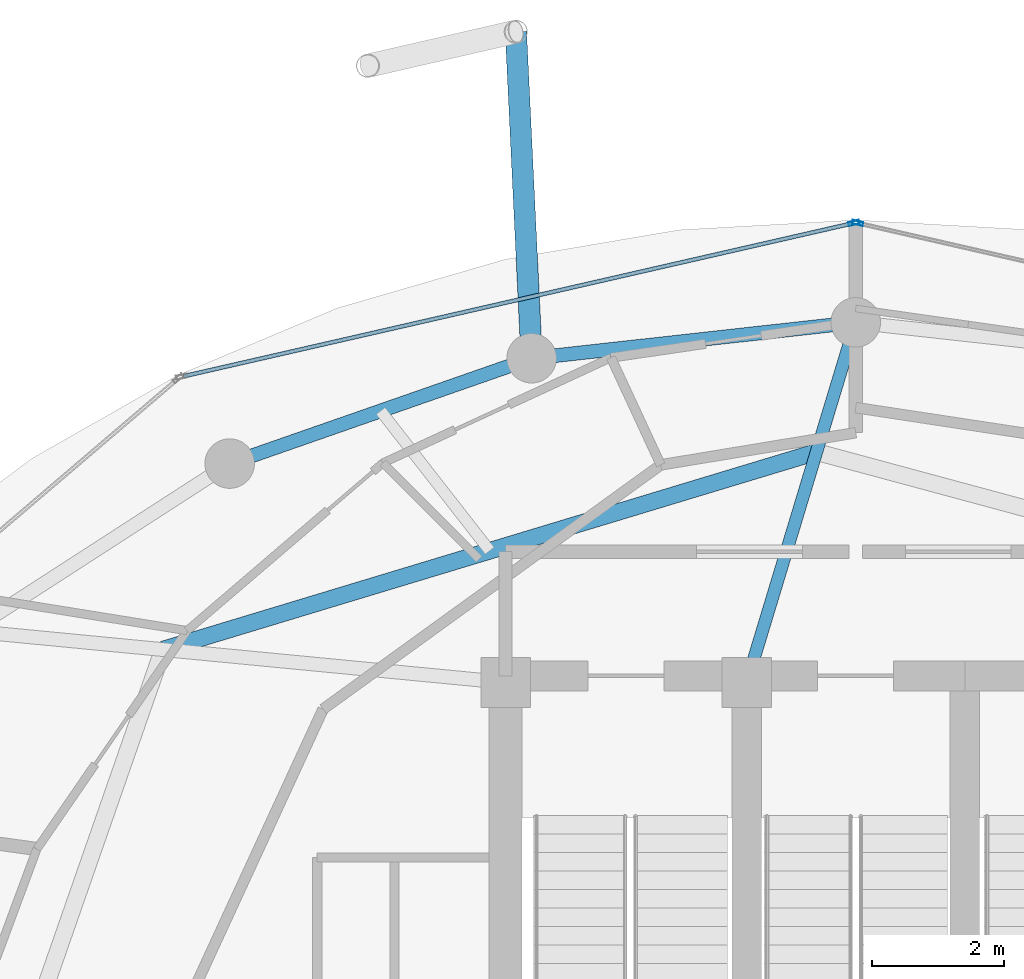
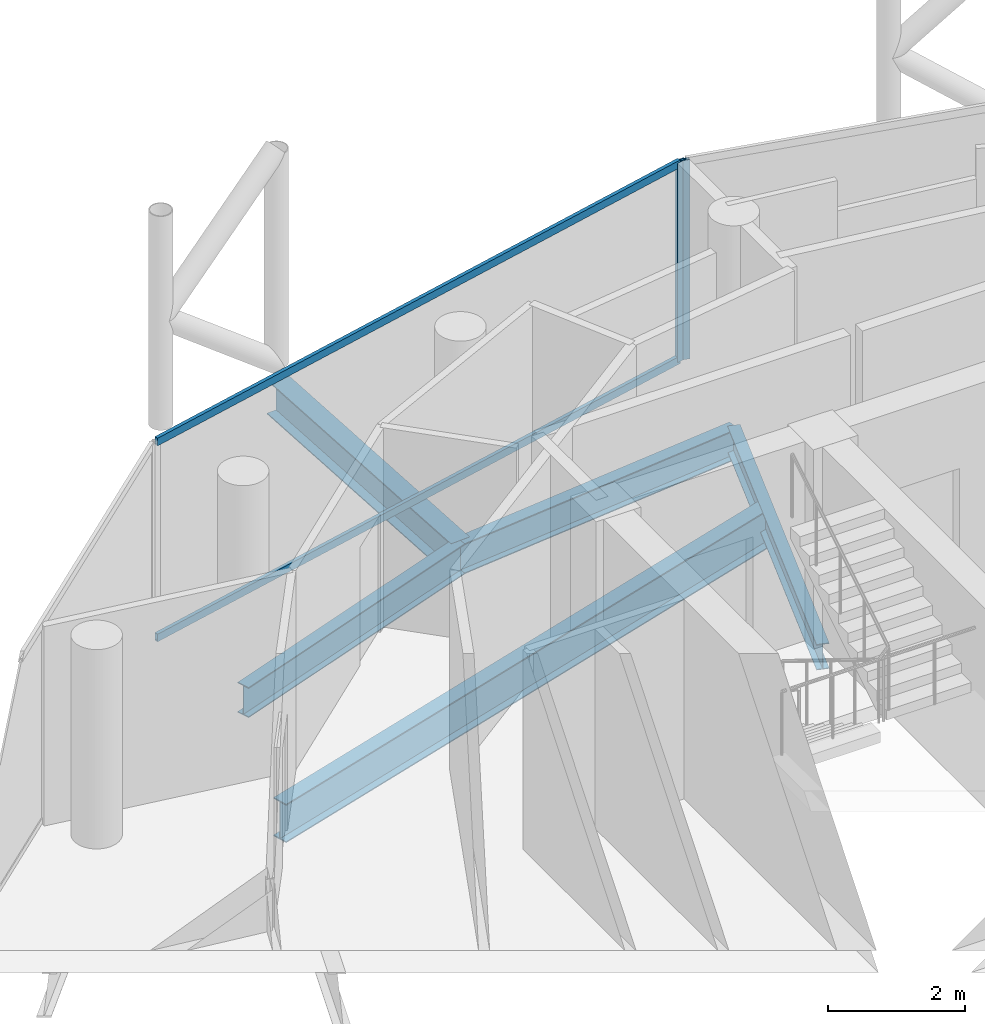
# One storey, part 16 of 24: 5 beams, 4 members, 2 elements without a shape of their own.
"""IFC4 building model written with IfcOpenShell, lengths in metres."""

from ifc_helpers import new_model, si_unit, direction, frame, origin, origin_2d, place, context, subcontext, project, spatial, hollow_rectangle, i_section, extrude, material, layer, layer_set, material_profile, profile_set, type_object, element, aggregate, save


model = new_model("IFC4")

# Units and contexts
model_context = context("Model", 3, precision=1e-05, world=origin(), true_north=direction((0.0, 1.0)))
body_context = subcontext(model_context, "Body", "Model", "MODEL_VIEW")
ifc_project = project(units=[si_unit("LENGTHUNIT", "METRE"), si_unit("AREAUNIT", "SQUARE_METRE"), si_unit("VOLUMEUNIT", "CUBIC_METRE"), si_unit("PLANEANGLEUNIT", "RADIAN"), si_unit("MASSUNIT", "GRAM", prefix="KILO")], contexts=[model_context])

# Site, building, storey
site_placement = place(None, origin())
site = spatial("IfcSite", under=ifc_project, at=site_placement, CompositionType="ELEMENT")
building_placement = place(site_placement, origin())
building = spatial("IfcBuilding", under=site, at=building_placement, Name="Nuhasar Tower", CompositionType="ELEMENT")
storey_placement = place(building_placement, frame((0.0, 0.0, 267.0)))
storey = spatial("IfcBuildingStorey", under=building, at=storey_placement, Name="L66", CompositionType="ELEMENT", Elevation=267.0)

# Beams
ifc_material_1 = material(Name="Steel S355", Category="steel")
ifc_material_profile_1 = material_profile(ifc_material_1, i_section(OverallWidth=0.25390625, OverallDepth=0.68408203125, WebThickness=0.012451171875, FlangeThickness=0.018798828125, at=origin_2d()), Name="W27X94")
ifc_profile_set_1 = profile_set([ifc_material_profile_1], Name="Steel S355")
beam_type_1 = type_object("IfcBeamType", Name="BM-INRING-W27X94", PredefinedType="BEAM", material=ifc_profile_set_1)
beam_1_placement = place(storey_placement, frame((38.406005859375, 40.7880859375, -0.60205078125), z_axis=(-0.957210818407, -0.289391515294, 0.0), x_axis=(0.289391515294, -0.957210818407, 0.0)))
element("IfcBeam", 1, at=beam_1_placement, inside=storey, type_object=beam_type_1, Name="L66 Inner Header Beam 06", PredefinedType="BEAM", context=body_context, shape_type="SweptSolid", body=[
    extrude(i_section(OverallWidth=0.25390625, OverallDepth=0.68408203125, WebThickness=0.012451171875, FlangeThickness=0.018798828125, at=origin_2d()), origin(), (0.0, 0.0, 1.0), 10.33203125),
])
ifc_material_profile_2 = material_profile(ifc_material_1, i_section(OverallWidth=0.18994140625, OverallDepth=0.45703125, WebThickness=0.009033203125, FlangeThickness=0.014404296875, at=origin_2d()), Name="W18X50")
ifc_profile_set_2 = profile_set([ifc_material_profile_2], Name="Steel S355")
beam_type_2 = type_object("IfcBeamType", Name="BM-RAD-W18X50", PredefinedType="BEAM", material=ifc_profile_set_2)
beam_2_placement = place(storey_placement, frame((37.35009765625, 37.300048828125, -0.488037109375), z_axis=(0.289750350206, 0.957102259195, 0.0), x_axis=(-0.957102259195, 0.289750350206, 0.0)))
element("IfcBeam", 2, at=beam_2_placement, inside=storey, type_object=beam_type_2, Name="L66 Radial Floor Girder 06", PredefinedType="BEAM", context=body_context, shape_type="SweptSolid", body=[
    extrude(i_section(OverallWidth=0.18994140625, OverallDepth=0.45703125, WebThickness=0.009033203125, FlangeThickness=0.014404296875, at=origin_2d()), origin(), (0.0, 0.0, 1.0), 5.6943359375),
])
ifc_material_profile_3 = material_profile(ifc_material_1, i_section(OverallWidth=0.2099609375, OverallDepth=0.537109375, WebThickness=0.010986328125, FlangeThickness=0.017333984375, at=origin_2d()), Name="W21X68")
ifc_profile_set_3 = profile_set([ifc_material_profile_3], Name="Steel S355")
beam_type_3 = type_object("IfcBeamType", Name="BM-RING-W21X68", PredefinedType="SPANDREL", material=ifc_profile_set_3)
beam_3_placement = place(storey_placement, frame((39.0, 42.75, -0.529052734375), z_axis=(-0.99392889943, -0.110024283128, 0.0), x_axis=(0.110024283128, -0.99392889943, 0.0)))
element("IfcBeam", 3, at=beam_3_placement, inside=storey, type_object=beam_type_3, Name="L66 Perimeter Ring Spandrel 07", PredefinedType="SPANDREL", context=body_context, shape_type="SweptSolid", body=[
    extrude(i_section(OverallWidth=0.2099609375, OverallDepth=0.537109375, WebThickness=0.010986328125, FlangeThickness=0.017333984375, at=origin_2d()), origin(), (0.0, 0.0, 1.0), 4.93505859375),
])
beam_4_placement = place(storey_placement, frame((34.094970703125, 42.20703125, -0.529052734375), z_axis=(-0.944214043504, -0.329332415729, 0.0), x_axis=(0.329332415729, -0.944214043504, 0.0)))
element("IfcBeam", 4, at=beam_4_placement, inside=storey, type_object=beam_type_3, Name="L66 Perimeter Ring Spandrel 08", PredefinedType="SPANDREL", context=body_context, shape_type="SweptSolid", body=[
    extrude(i_section(OverallWidth=0.2099609375, OverallDepth=0.537109375, WebThickness=0.010986328125, FlangeThickness=0.017333984375, at=origin_2d()), origin(), (0.0, 0.0, 1.0), 4.840087890625),
])
ifc_material_profile_4 = material_profile(ifc_material_1, i_section(OverallWidth=0.323974609375, OverallDepth=0.611083984375, WebThickness=0.0126953125, FlangeThickness=0.01904296875, at=origin_2d()), Name="W24X104")
ifc_profile_set_4 = profile_set([ifc_material_profile_4], Name="Steel S355")
beam_type_4 = type_object("IfcBeamType", Name="BM-TIE-W24X104", PredefinedType="BEAM", material=ifc_profile_set_4)
beam_5_placement = place(storey_placement, frame((34.094970703125, 42.20703125, -0.56494140625), z_axis=(-0.048111398417, 0.998841976162, 0.0), x_axis=(-0.998841976162, -0.048111398417, 0.0)))
element("IfcBeam", 5, at=beam_5_placement, inside=storey, type_object=beam_type_4, Name="L66 Exoskeleton Node Tie Beam 04", PredefinedType="BEAM", context=body_context, shape_type="SweptSolid", body=[
    extrude(i_section(OverallWidth=0.323974609375, OverallDepth=0.611083984375, WebThickness=0.0126953125, FlangeThickness=0.01904296875, at=origin_2d()), origin(), (0.0, 0.0, 1.0), 4.947509765625),
])

# Curtain wall, member
ifc_material_2 = material(Name="Aluminium 6063-T6", Category="aluminium")
ifc_layer = layer(ifc_material_2, 0.18994140625)
ifc_layer_set = layer_set([ifc_layer], Name="Aluminium 6063-T6")
curtain_wall_type = type_object("IfcCurtainWallType", Name="CW-Z4-PEN", PredefinedType="NOTDEFINED", material=ifc_layer_set)
curtain_wall_1_placement = place(storey_placement, origin())
curtain_wall_1 = element("IfcCurtainWall", 6, at=curtain_wall_1_placement, inside=storey, type_object=curtain_wall_type, Name="L66 Unitised Curtain Wall 03", PredefinedType="NOTDEFINED")
ifc_material_profile_5 = material_profile(ifc_material_2, hollow_rectangle(XDim=0.06005859375, YDim=0.1650390625, WallThickness=0.0048828125, at=origin_2d()), Name="CWM-5")
ifc_profile_set_5 = profile_set([ifc_material_profile_5], Name="Aluminium 6063-T6")
member_type_1 = type_object("IfcMemberType", Name="CW-MUL-S5", PredefinedType="MULLION", material=ifc_profile_set_5)
member_1_placement = place(storey_placement, frame((39.029296875, 44.25341796875, 0.0), z_axis=(0.0, 0.0, 1.0), x_axis=(-0.222889487645, -0.97484371891, 0.0)))
member_1 = element("IfcMember", 7, at=member_1_placement, type_object=member_type_1, Name="CW-Z4 mullion 2", PredefinedType="MULLION", context=body_context, shape_type="SweptSolid", body=[
    extrude(hollow_rectangle(XDim=0.06005859375, YDim=0.1650390625, WallThickness=0.0048828125, at=origin_2d()), origin(), (0.0, 0.0, 1.0), 3.5400390625),
])
aggregate(curtain_wall_1, [member_1])

# Curtain wall, members
curtain_wall_2_placement = place(storey_placement, origin())
curtain_wall_2 = element("IfcCurtainWall", 8, at=curtain_wall_2_placement, inside=storey, type_object=curtain_wall_type, Name="L66 Unitised Curtain Wall 04", PredefinedType="NOTDEFINED")
member_2_placement = place(storey_placement, frame((38.970703125, 44.25341796875, 0.0), z_axis=(0.0, 0.0, 1.0), x_axis=(0.222889487645, -0.97484371891, 0.0)))
member_2 = element("IfcMember", 9, at=member_2_placement, type_object=member_type_1, Name="CW-Z4 mullion 1", PredefinedType="MULLION", context=body_context, shape_type="SweptSolid", body=[
    extrude(hollow_rectangle(XDim=0.06005859375, YDim=0.1650390625, WallThickness=0.0048828125, at=origin_2d()), origin(), (0.0, 0.0, 1.0), 3.5400390625),
])
ifc_material_profile_6 = material_profile(ifc_material_2, hollow_rectangle(XDim=0.06005859375, YDim=0.135009765625, WallThickness=0.00439453125, at=origin_2d()), Name="CWT-5")
ifc_profile_set_6 = profile_set([ifc_material_profile_6], Name="Aluminium 6063-T6")
member_type_2 = type_object("IfcMemberType", Name="CW-TRN-S5", PredefinedType="USERDEFINED", material=ifc_profile_set_6)
member_3_placement = place(storey_placement, frame((38.94140625, 44.24658203125, 0.030029296875), z_axis=(-0.974843752401, -0.222889341163, 0.0), x_axis=(0.222889341163, -0.974843752401, 0.0)))
member_3 = element("IfcMember", 10, at=member_3_placement, type_object=member_type_2, Name="CW-Z4 transom 1.1", ObjectType="TRANSOM", PredefinedType="USERDEFINED", context=body_context, shape_type="SweptSolid", body=[
    extrude(hollow_rectangle(XDim=0.06005859375, YDim=0.135009765625, WallThickness=0.00439453125, at=origin_2d()), origin(), (0.0, 0.0, 1.0), 10.3740234375),
])
member_4_placement = place(storey_placement, frame((38.94140625, 44.24658203125, 3.510009765625), z_axis=(-0.974843752401, -0.222889341163, 0.0), x_axis=(0.222889341163, -0.974843752401, 0.0)))
member_4 = element("IfcMember", 11, at=member_4_placement, type_object=member_type_2, Name="CW-Z4 transom 1.2", ObjectType="TRANSOM", PredefinedType="USERDEFINED", context=body_context, shape_type="SweptSolid", body=[
    extrude(hollow_rectangle(XDim=0.06005859375, YDim=0.135009765625, WallThickness=0.00439453125, at=origin_2d()), origin(), (0.0, 0.0, 1.0), 10.3740234375),
])
aggregate(curtain_wall_2, [member_2, member_3, member_4])

save(model, "model.ifc")
